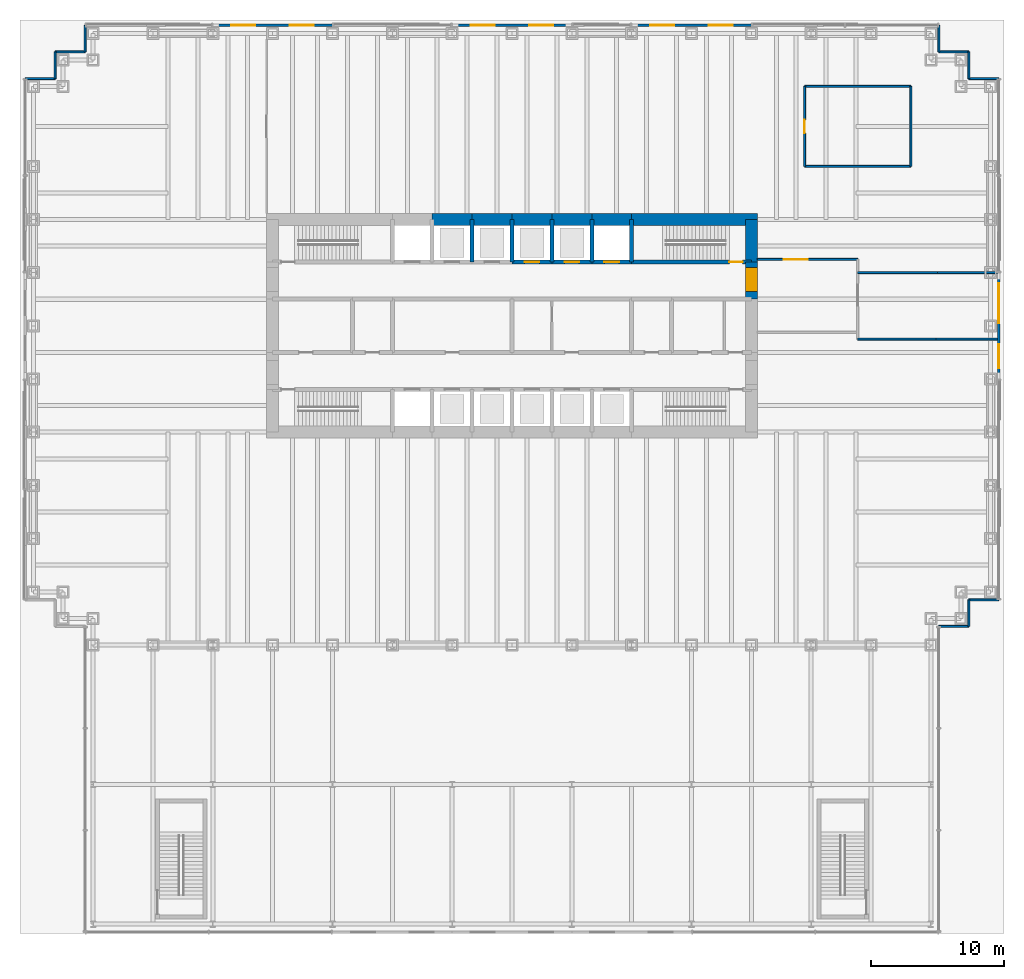
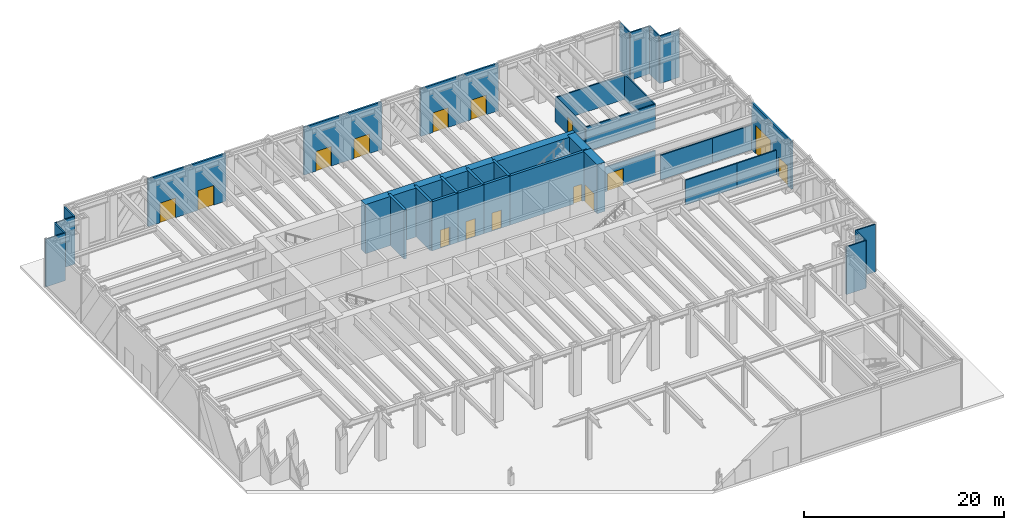
# One storey, part 14 of 17: 41 walls, 15 doors, 15 openings.
"""IFC4 building model written with IfcOpenShell, lengths in metres."""

from ifc_helpers import new_model, si_unit, direction, frame, frame_2d, origin, place, context, subcontext, project, spatial, rectangle, extrude, material, layer, layer_set, type_object, element, fill, save


model = new_model("IFC4")

# Units and contexts
model_context = context("Model", 3, precision=1e-05, world=origin(), true_north=direction((0.0, 1.0)))
body_context = subcontext(model_context, "Body", "Model", "MODEL_VIEW")
ifc_project = project(units=[si_unit("LENGTHUNIT", "METRE"), si_unit("AREAUNIT", "SQUARE_METRE"), si_unit("VOLUMEUNIT", "CUBIC_METRE"), si_unit("PLANEANGLEUNIT", "RADIAN"), si_unit("MASSUNIT", "GRAM", prefix="KILO")], contexts=[model_context])

# Site, building, storey
site_placement = place(None, origin())
site = spatial("IfcSite", under=ifc_project, at=site_placement, CompositionType="ELEMENT")
building_placement = place(site_placement, origin())
building = spatial("IfcBuilding", under=site, at=building_placement, Name="Rheinbord Bourse Tower", CompositionType="ELEMENT")
storey_placement = place(building_placement, origin())
storey = spatial("IfcBuildingStorey", under=building, at=storey_placement, Name="L00", CompositionType="ELEMENT", Elevation=0.0)

# Wall, opening, door
ifc_material_1 = material(Name="Concrete C50/60", Category="concrete")
ifc_layer_1 = layer(ifc_material_1, 0.300048828125)
ifc_layer_set_1 = layer_set([ifc_layer_1], Name="CORE INNER WALL 300")
wall_type_1 = type_object("IfcWallType", Name="CORE INNER WALL 300", PredefinedType="SOLIDWALL", material=ifc_layer_set_1)
wall_1_placement = place(storey_placement, frame((36.0, 28.800048828125, 0.0), z_axis=(0.0, 0.0, 1.0), x_axis=(1.0, 0.0, 0.0)))
wall_1 = element("IfcWall", 1, at=wall_1_placement, inside=storey, type_object=wall_type_1, Name="Core wall B5 L00", PredefinedType="SOLIDWALL", context=body_context, shape_type="SweptSolid", body=[
    extrude(rectangle(XDim=3.0, YDim=0.300048828125, at=frame_2d((1.5, 0.0))), origin(), (0.0, 0.0, 1.0), 6.0),
])
opening_1_placement = place(wall_1_placement, frame((0.949951171875, 0.0, 0.0)))
opening_1 = element("IfcOpeningElement", 2, at=opening_1_placement, cuts=wall_1, Name="Opening SL3", PredefinedType="OPENING", context=body_context, shape_type="SweptSolid", body=[
    extrude(rectangle(XDim=1.10009765625, YDim=2.199951171875, at=frame_2d((0.550048828125, 1.10009765625))), frame((0.0, 0.159912109375, 0.0), z_axis=(0.0, -1.0, 0.0), x_axis=(1.0, 0.0, 0.0)), (0.0, 0.0, 1.0), 0.320068359375),
])
ifc_material_2 = material(Name="Steel landing door", Category="steel")
door_type_1 = type_object("IfcDoorType", Name="LIFT LANDING DOOR 1100", OperationType="DOUBLE_DOOR_SLIDING", PredefinedType="USERDEFINED", material=ifc_material_2)
door_1_placement = place(opening_1_placement, origin())
door_1 = element("IfcDoor", 3, at=door_1_placement, inside=storey, type_object=door_type_1, Name="Lift landing door SL3 L00", ObjectType="LIFT LANDING DOOR", OperationType="DOUBLE_DOOR_SLIDING", OverallHeight=2.199951171875, OverallWidth=1.10009765625, PredefinedType="USERDEFINED", context=body_context, shape_type="SweptSolid", body=[
    extrude(rectangle(XDim=1.10009765625, YDim=2.199951171875, at=frame_2d((0.550048828125, 1.10009765625))), frame((0.0, 0.02490234375, 0.0), z_axis=(0.0, -1.0, 0.0), x_axis=(1.0, 0.0, 0.0)), (0.0, 0.0, 1.0), 0.050048828125),
])
fill(opening_1, door_1)

wall_2_placement = place(storey_placement, frame((39.0, 28.800048828125, 0.0), z_axis=(0.0, 0.0, 1.0), x_axis=(1.0, 0.0, 0.0)))
wall_2 = element("IfcWall", 4, at=wall_2_placement, inside=storey, type_object=wall_type_1, Name="Core wall B6 L00", PredefinedType="SOLIDWALL", context=body_context, shape_type="SweptSolid", body=[
    extrude(rectangle(XDim=3.0, YDim=0.300048828125, at=frame_2d((1.5, 0.0))), origin(), (0.0, 0.0, 1.0), 6.0),
])
opening_2_placement = place(wall_2_placement, frame((0.949951171875, 0.0, 0.0)))
opening_2 = element("IfcOpeningElement", 5, at=opening_2_placement, cuts=wall_2, Name="Opening SL4", PredefinedType="OPENING", context=body_context, shape_type="SweptSolid", body=[
    extrude(rectangle(XDim=1.10009765625, YDim=2.199951171875, at=frame_2d((0.550048828125, 1.10009765625))), frame((0.0, 0.159912109375, 0.0), z_axis=(0.0, -1.0, 0.0), x_axis=(1.0, 0.0, 0.0)), (0.0, 0.0, 1.0), 0.320068359375),
])
door_2_placement = place(opening_2_placement, origin())
door_2 = element("IfcDoor", 6, at=door_2_placement, inside=storey, type_object=door_type_1, Name="Lift landing door SL4 L00", ObjectType="LIFT LANDING DOOR", OperationType="DOUBLE_DOOR_SLIDING", OverallHeight=2.199951171875, OverallWidth=1.10009765625, PredefinedType="USERDEFINED", context=body_context, shape_type="SweptSolid", body=[
    extrude(rectangle(XDim=1.10009765625, YDim=2.199951171875, at=frame_2d((0.550048828125, 1.10009765625))), frame((0.0, 0.02490234375, 0.0), z_axis=(0.0, -1.0, 0.0), x_axis=(1.0, 0.0, 0.0)), (0.0, 0.0, 1.0), 0.050048828125),
])
fill(opening_2, door_2)

wall_3_placement = place(storey_placement, frame((42.0, 28.800048828125, 0.0), z_axis=(0.0, 0.0, 1.0), x_axis=(1.0, 0.0, 0.0)))
wall_3 = element("IfcWall", 7, at=wall_3_placement, inside=storey, type_object=wall_type_1, Name="Core wall B7 L00", PredefinedType="SOLIDWALL", context=body_context, shape_type="SweptSolid", body=[
    extrude(rectangle(XDim=3.0, YDim=0.300048828125, at=frame_2d((1.5, 0.0))), origin(), (0.0, 0.0, 1.0), 6.0),
])
opening_3_placement = place(wall_3_placement, frame((0.949951171875, 0.0, 0.0)))
opening_3 = element("IfcOpeningElement", 8, at=opening_3_placement, cuts=wall_3, Name="Opening FL2", PredefinedType="OPENING", context=body_context, shape_type="SweptSolid", body=[
    extrude(rectangle(XDim=1.10009765625, YDim=2.199951171875, at=frame_2d((0.550048828125, 1.10009765625))), frame((0.0, 0.159912109375, 0.0), z_axis=(0.0, -1.0, 0.0), x_axis=(1.0, 0.0, 0.0)), (0.0, 0.0, 1.0), 0.320068359375),
])
door_3_placement = place(opening_3_placement, origin())
door_3 = element("IfcDoor", 9, at=door_3_placement, inside=storey, type_object=door_type_1, Name="Lift landing door FL2 L00", ObjectType="LIFT LANDING DOOR", OperationType="DOUBLE_DOOR_SLIDING", OverallHeight=2.199951171875, OverallWidth=1.10009765625, PredefinedType="USERDEFINED", context=body_context, shape_type="SweptSolid", body=[
    extrude(rectangle(XDim=1.10009765625, YDim=2.199951171875, at=frame_2d((0.550048828125, 1.10009765625))), frame((0.0, 0.02490234375, 0.0), z_axis=(0.0, -1.0, 0.0), x_axis=(1.0, 0.0, 0.0)), (0.0, 0.0, 1.0), 0.050048828125),
])
fill(opening_3, door_3)

wall_4_placement = place(storey_placement, frame((45.0, 28.800048828125, 0.0), z_axis=(0.0, 0.0, 1.0), x_axis=(1.0, 0.0, 0.0)))
wall_4 = element("IfcWall", 10, at=wall_4_placement, inside=storey, type_object=wall_type_1, Name="Core wall B8 L00", PredefinedType="SOLIDWALL", context=body_context, shape_type="SweptSolid", body=[
    extrude(rectangle(XDim=9.0, YDim=0.300048828125, at=frame_2d((4.5, 0.0))), origin(), (0.0, 0.0, 1.0), 6.0),
])
opening_4_placement = place(wall_4_placement, frame((7.35009765625, 0.0, 0.0)))
opening_4 = element("IfcOpeningElement", 11, at=opening_4_placement, cuts=wall_4, Name="Opening 0040", PredefinedType="OPENING", context=body_context, shape_type="SweptSolid", body=[
    extrude(rectangle(XDim=1.0, YDim=2.10009765625, at=frame_2d((0.5, 1.050048828125))), frame((0.0, 0.159912109375, 0.0), z_axis=(0.0, -1.0, 0.0), x_axis=(1.0, 0.0, 0.0)), (0.0, 0.0, 1.0), 0.320068359375),
])
ifc_material_3 = material(Name="Steel door", Category="steel")
door_type_2 = type_object("IfcDoorType", Name="DOOR 1000 EI30", OperationType="SINGLE_SWING_LEFT", PredefinedType="DOOR", material=ifc_material_3)
door_4_placement = place(opening_4_placement, origin())
door_4 = element("IfcDoor", 12, at=door_4_placement, inside=storey, type_object=door_type_2, Name="Stair door ST4 L00", OperationType="SINGLE_SWING_RIGHT", OverallHeight=2.10009765625, OverallWidth=1.0, PredefinedType="DOOR", context=body_context, shape_type="SweptSolid", body=[
    extrude(rectangle(XDim=1.0, YDim=2.10009765625, at=frame_2d((0.5, 1.050048828125))), frame((0.0, 0.02490234375, 0.0), z_axis=(0.0, -1.0, 0.0), x_axis=(1.0, 0.0, 0.0)), (0.0, 0.0, 1.0), 0.050048828125),
])
fill(opening_4, door_4)

# Walls
for number, where, z_axis, x_axis, name in (
    (13, (33.0, 28.800048828125, 0.0), (0.0, 0.0, 1.0), (0.0, 1.0, 0.0), "Core wall NX33 L00"),
    (14, (36.0, 28.800048828125, 0.0), (0.0, 0.0, 1.0), (0.0, 1.0, 0.0), "Core wall NX36 L00"),
    (15, (39.0, 28.800048828125, 0.0), (0.0, 0.0, 1.0), (0.0, 1.0, 0.0), "Core wall NX39 L00"),
    (16, (42.0, 28.800048828125, 0.0), (0.0, 0.0, 1.0), (0.0, 1.0, 0.0), "Core wall NX42 L00"),
    (17, (45.0, 28.800048828125, 0.0), (0.0, 0.0, 1.0), (0.0, 1.0, 0.0), "Core wall NX45 L00"),
):
    element("IfcWall", number, at=place(storey_placement, frame(where, z_axis=z_axis, x_axis=x_axis)), inside=storey, type_object=wall_type_1, Name=name, PredefinedType="SOLIDWALL", context=body_context, shape_type="SweptSolid", body=[
        extrude(rectangle(XDim=3.199951171875, YDim=0.300048828125, at=frame_2d((1.60009765625, 0.0))), origin(), (0.0, 0.0, 1.0), 6.0),
    ])
ifc_material_4 = material(Name="Concrete C50/60", Category="concrete")
ifc_layer_2 = layer(ifc_material_4, 0.89990234375)
ifc_layer_set_2 = layer_set([ifc_layer_2], Name="CORE WALL 900")
wall_type_2 = type_object("IfcWallType", Name="CORE WALL 900", PredefinedType="SHEAR", material=ifc_layer_set_2)
wall_5_placement = place(storey_placement, frame((54.449951171875, 32.0, 0.0), z_axis=(0.0, 0.0, 1.0), x_axis=(-1.0, 0.0, 0.0)))
element("IfcWall", 18, at=wall_5_placement, inside=storey, type_object=wall_type_2, Name="Core wall N1 L00", PredefinedType="SHEAR", context=body_context, shape_type="SweptSolid", body=[
    extrude(rectangle(XDim=9.449951171875, YDim=0.89990234375, at=frame_2d((4.72509765625, 0.0))), origin(), (0.0, 0.0, 1.0), 6.0),
])
for number, where, z_axis, x_axis, name in (
    (19, (45.0, 32.0, 0.0), (0.0, 0.0, 1.0), (-1.0, 0.0, 0.0), "Core wall N2 L00"),
    (20, (42.0, 32.0, 0.0), (0.0, 0.0, 1.0), (-1.0, 0.0, 0.0), "Core wall N3 L00"),
    (21, (39.0, 32.0, 0.0), (0.0, 0.0, 1.0), (-1.0, 0.0, 0.0), "Core wall N4 L00"),
    (22, (36.0, 32.0, 0.0), (0.0, 0.0, 1.0), (-1.0, 0.0, 0.0), "Core wall N5 L00"),
    (23, (33.0, 32.0, 0.0), (0.0, 0.0, 1.0), (-1.0, 0.0, 0.0), "Core wall N6 L00"),
):
    element("IfcWall", number, at=place(storey_placement, frame(where, z_axis=z_axis, x_axis=x_axis)), inside=storey, type_object=wall_type_2, Name=name, PredefinedType="SHEAR", context=body_context, shape_type="SweptSolid", body=[
        extrude(rectangle(XDim=3.0, YDim=0.89990234375, at=frame_2d((1.5, 0.0))), origin(), (0.0, 0.0, 1.0), 6.0),
    ])

# Wall, opening, door
wall_6_placement = place(storey_placement, frame((54.0, 26.0, 0.0), z_axis=(0.0, 0.0, 1.0), x_axis=(0.0, 1.0, 0.0)))
wall_6 = element("IfcWall", 24, at=wall_6_placement, inside=storey, type_object=wall_type_2, Name="Core wall E4 L00", PredefinedType="SHEAR", context=body_context, shape_type="SweptSolid", body=[
    extrude(rectangle(XDim=2.800048828125, YDim=0.89990234375, at=frame_2d((1.39990234375, 0.0))), origin(), (0.0, 0.0, 1.0), 6.0),
])
opening_5_placement = place(wall_6_placement, frame((0.60009765625, 0.0, 0.0)))
opening_5 = element("IfcOpeningElement", 25, at=opening_5_placement, cuts=wall_6, Name="Opening 00L4", PredefinedType="OPENING", context=body_context, shape_type="SweptSolid", body=[
    extrude(rectangle(XDim=1.800048828125, YDim=2.10009765625, at=frame_2d((0.89990234375, 1.050048828125))), frame((0.0, 0.4599609375, 0.0), z_axis=(0.0, -1.0, 0.0), x_axis=(1.0, 0.0, 0.0)), (0.0, 0.0, 1.0), 0.919921875),
])
ifc_material_5 = material(Name="Steel door", Category="steel")
door_type_3 = type_object("IfcDoorType", Name="DOOR 1800 EI30 DOUBLE", OperationType="DOUBLE_DOOR_DOUBLE_SWING", PredefinedType="DOOR", material=ifc_material_5)
door_5_placement = place(opening_5_placement, origin())
door_5 = element("IfcDoor", 26, at=door_5_placement, inside=storey, type_object=door_type_3, Name="Lobby door 4 L00", OperationType="SINGLE_SWING_LEFT", OverallHeight=2.10009765625, OverallWidth=1.800048828125, PredefinedType="DOOR", context=body_context, shape_type="SweptSolid", body=[
    extrude(rectangle(XDim=1.800048828125, YDim=2.10009765625, at=frame_2d((0.89990234375, 1.050048828125))), frame((0.0, 0.44970703125, 0.0), z_axis=(0.0, -1.0, 0.0), x_axis=(1.0, 0.0, 0.0)), (0.0, 0.0, 1.0), 0.8994140625),
])
fill(opening_5, door_5)

# Walls
wall_7_placement = place(storey_placement, frame((54.0, 28.800048828125, 0.0), z_axis=(0.0, 0.0, 1.0), x_axis=(0.0, 1.0, 0.0)))
element("IfcWall", 27, at=wall_7_placement, inside=storey, type_object=wall_type_2, Name="Core wall E5 L00", PredefinedType="SHEAR", context=body_context, shape_type="SweptSolid", body=[
    extrude(rectangle(XDim=3.199951171875, YDim=0.89990234375, at=frame_2d((1.60009765625, 0.0))), origin(), (0.0, 0.0, 1.0), 6.0),
])
ifc_material_6 = material(Name="Black metal rainscreen panel", Category="aluminium")
ifc_layer_3 = layer(ifc_material_6, 0.14990234375)
ifc_layer_set_3 = layer_set([ifc_layer_3], Name="CORNER PIER CLADDING 150")
wall_type_3 = type_object("IfcWallType", Name="CORNER PIER CLADDING 150", PredefinedType="ELEMENTEDWALL", material=ifc_layer_set_3)
wall_8_placement = place(storey_placement, frame((68.10009765625, 1.39990234375, 0.0), z_axis=(0.0, 0.0, 1.0), x_axis=(1.0, 0.0, 0.0)))
element("IfcWall", 28, at=wall_8_placement, inside=storey, type_object=wall_type_3, Name="Corner pier cladding L00 7", PredefinedType="ELEMENTEDWALL", context=body_context, shape_type="SweptSolid", body=[
    extrude(rectangle(XDim=2.25, YDim=0.14990234375, at=frame_2d((1.125, 0.0))), origin(), (0.0, 0.0, 1.0), 5.820068359375),
])
wall_9_placement = place(storey_placement, frame((70.35009765625, 1.39990234375, 0.0), z_axis=(0.0, 0.0, 1.0), x_axis=(0.0, 1.0, 0.0)))
element("IfcWall", 29, at=wall_9_placement, inside=storey, type_object=wall_type_3, Name="Corner pier cladding L00 8", PredefinedType="ELEMENTEDWALL", context=body_context, shape_type="SweptSolid", body=[
    extrude(rectangle(XDim=2.0, YDim=0.14990234375, at=frame_2d((1.0, 0.0))), origin(), (0.0, 0.0, 1.0), 5.820068359375),
])
for number, where, z_axis, x_axis, name in (
    (30, (70.35009765625, 3.39990234375, 0.0), (0.0, 0.0, 1.0), (1.0, 0.0, 0.0), "Corner pier cladding L00 9"),
    (31, (72.60009765625, 42.60009765625, 0.0), (0.0, 0.0, 1.0), (-1.0, 0.0, 0.0), "Corner pier cladding L00 13"),
):
    element("IfcWall", number, at=place(storey_placement, frame(where, z_axis=z_axis, x_axis=x_axis)), inside=storey, type_object=wall_type_3, Name=name, PredefinedType="ELEMENTEDWALL", context=body_context, shape_type="SweptSolid", body=[
        extrude(rectangle(XDim=2.25, YDim=0.14990234375, at=frame_2d((1.125, 0.0))), origin(), (0.0, 0.0, 1.0), 5.820068359375),
    ])
wall_10_placement = place(storey_placement, frame((70.35009765625, 42.60009765625, 0.0), z_axis=(0.0, 0.0, 1.0), x_axis=(0.0, 1.0, 0.0)))
element("IfcWall", 32, at=wall_10_placement, inside=storey, type_object=wall_type_3, Name="Corner pier cladding L00 14", PredefinedType="ELEMENTEDWALL", context=body_context, shape_type="SweptSolid", body=[
    extrude(rectangle(XDim=2.0, YDim=0.14990234375, at=frame_2d((1.0, 0.0))), origin(), (0.0, 0.0, 1.0), 5.820068359375),
])
wall_11_placement = place(storey_placement, frame((70.35009765625, 44.60009765625, 0.0), z_axis=(0.0, 0.0, 1.0), x_axis=(-1.0, 0.0, 0.0)))
element("IfcWall", 33, at=wall_11_placement, inside=storey, type_object=wall_type_3, Name="Corner pier cladding L00 15", PredefinedType="ELEMENTEDWALL", context=body_context, shape_type="SweptSolid", body=[
    extrude(rectangle(XDim=2.25, YDim=0.14990234375, at=frame_2d((1.125, 0.0))), origin(), (0.0, 0.0, 1.0), 5.820068359375),
])
for number, where, z_axis, x_axis, name in (
    (34, (68.10009765625, 44.60009765625, 0.0), (0.0, 0.0, 1.0), (0.0, 1.0, 0.0), "Corner pier cladding L00 16"),
    (35, (3.89990234375, 46.60009765625, 0.0), (0.0, 0.0, 1.0), (0.0, -1.0, 0.0), "Corner pier cladding L00 24"),
):
    element("IfcWall", number, at=place(storey_placement, frame(where, z_axis=z_axis, x_axis=x_axis)), inside=storey, type_object=wall_type_3, Name=name, PredefinedType="ELEMENTEDWALL", context=body_context, shape_type="SweptSolid", body=[
        extrude(rectangle(XDim=2.0, YDim=0.14990234375, at=frame_2d((1.0, 0.0))), origin(), (0.0, 0.0, 1.0), 5.820068359375),
    ])
wall_12_placement = place(storey_placement, frame((3.89990234375, 44.60009765625, 0.0), z_axis=(0.0, 0.0, 1.0), x_axis=(-1.0, 0.0, 0.0)))
element("IfcWall", 36, at=wall_12_placement, inside=storey, type_object=wall_type_3, Name="Corner pier cladding L00 25", PredefinedType="ELEMENTEDWALL", context=body_context, shape_type="SweptSolid", body=[
    extrude(rectangle(XDim=2.25, YDim=0.14990234375, at=frame_2d((1.125, 0.0))), origin(), (0.0, 0.0, 1.0), 5.820068359375),
])
wall_13_placement = place(storey_placement, frame((1.64990234375, 44.60009765625, 0.0), z_axis=(0.0, 0.0, 1.0), x_axis=(0.0, -1.0, 0.0)))
element("IfcWall", 37, at=wall_13_placement, inside=storey, type_object=wall_type_3, Name="Corner pier cladding L00 26", PredefinedType="ELEMENTEDWALL", context=body_context, shape_type="SweptSolid", body=[
    extrude(rectangle(XDim=2.0, YDim=0.14990234375, at=frame_2d((1.0, 0.0))), origin(), (0.0, 0.0, 1.0), 5.820068359375),
])
wall_14_placement = place(storey_placement, frame((1.64990234375, 42.60009765625, 0.0), z_axis=(0.0, 0.0, 1.0), x_axis=(-1.0, 0.0, 0.0)))
element("IfcWall", 38, at=wall_14_placement, inside=storey, type_object=wall_type_3, Name="Corner pier cladding L00 27", PredefinedType="ELEMENTEDWALL", context=body_context, shape_type="SweptSolid", body=[
    extrude(rectangle(XDim=2.25, YDim=0.14990234375, at=frame_2d((1.125, 0.0))), origin(), (0.0, 0.0, 1.0), 5.820068359375),
])

# Wall, openings, doors
ifc_material_7 = material(Name="Dark glass and black steel screen", Category="steel")
ifc_layer_4 = layer(ifc_material_7, 0.199951171875)
ifc_layer_set_4 = layer_set([ifc_layer_4], Name="ENTRANCE SCREEN 200")
wall_type_4 = type_object("IfcWallType", Name="ENTRANCE SCREEN 200", PredefinedType="USERDEFINED", material=ifc_layer_set_4)
wall_15_placement = place(storey_placement, frame((72.60009765625, 20.0, 0.0), z_axis=(0.0, 0.0, 1.0), x_axis=(0.0, 1.0, 0.0)))
wall_15 = element("IfcWall", 39, at=wall_15_placement, inside=storey, type_object=wall_type_4, Name="Entrance screen E L00", ObjectType="GLAZED ENTRANCE SCREEN", PredefinedType="USERDEFINED", context=body_context, shape_type="SweptSolid", body=[
    extrude(rectangle(XDim=8.0, YDim=0.199951171875, at=frame_2d((4.0, 0.0))), origin(), (0.0, 0.0, 1.0), 5.820068359375),
])
opening_6_placement = place(wall_15_placement, frame((0.800048828125, 0.0, 0.0)))
opening_6 = element("IfcOpeningElement", 40, at=opening_6_placement, cuts=wall_15, Name="Opening 00EE110", PredefinedType="OPENING", context=body_context, shape_type="SweptSolid", body=[
    extrude(rectangle(XDim=1.800048828125, YDim=2.39990234375, at=frame_2d((0.89990234375, 1.199951171875))), frame((0.0, 0.10986328125, 0.0), z_axis=(0.0, -1.0, 0.0), x_axis=(1.0, 0.0, 0.0)), (0.0, 0.0, 1.0), 0.219970703125),
])
opening_7_placement = place(wall_15_placement, frame((4.199951171875, 0.0, 0.0)))
opening_7 = element("IfcOpeningElement", 41, at=opening_7_placement, cuts=wall_15, Name="Opening 00EE210", PredefinedType="OPENING", context=body_context, shape_type="SweptSolid", body=[
    extrude(rectangle(XDim=3.0, YDim=3.5, at=frame_2d((1.5, 1.75))), frame((0.0, 0.10986328125, 0.0), z_axis=(0.0, -1.0, 0.0), x_axis=(1.0, 0.0, 0.0)), (0.0, 0.0, 1.0), 0.219970703125),
])
ifc_material_8 = material(Name="Dark glass and black steel door", Category="steel")
door_type_4 = type_object("IfcDoorType", Name="ENTRANCE DOOR 1800", OperationType="DOUBLE_DOOR_DOUBLE_SWING", PredefinedType="DOOR", material=ifc_material_8)
door_6_placement = place(opening_6_placement, origin())
door_6 = element("IfcDoor", 42, at=door_6_placement, inside=storey, type_object=door_type_4, Name="Entrance door E", OperationType="SINGLE_SWING_LEFT", OverallHeight=2.39990234375, OverallWidth=1.800048828125, PredefinedType="DOOR", context=body_context, shape_type="SweptSolid", body=[
    extrude(rectangle(XDim=1.800048828125, YDim=2.39990234375, at=frame_2d((0.89990234375, 1.199951171875))), frame((0.0, 0.02490234375, 0.0), z_axis=(0.0, -1.0, 0.0), x_axis=(1.0, 0.0, 0.0)), (0.0, 0.0, 1.0), 0.050048828125),
])
fill(opening_6, door_6)
ifc_material_9 = material(Name="Steel roller shutter", Category="steel")
door_type_5 = type_object("IfcDoorType", Name="LOADING DOOR 3000", OperationType="USERDEFINED", PredefinedType="USERDEFINED", material=ifc_material_9)
door_7_placement = place(opening_7_placement, origin())
door_7 = element("IfcDoor", 43, at=door_7_placement, inside=storey, type_object=door_type_5, Name="Entrance door E", ObjectType="ROLLER SHUTTER DOOR", OperationType="SINGLE_SWING_LEFT", OverallHeight=3.5, OverallWidth=3.0, PredefinedType="USERDEFINED", context=body_context, shape_type="SweptSolid", body=[
    extrude(rectangle(XDim=3.0, YDim=3.5, at=frame_2d((1.5, 1.75))), frame((0.0, 0.02490234375, 0.0), z_axis=(0.0, -1.0, 0.0), x_axis=(1.0, 0.0, 0.0)), (0.0, 0.0, 1.0), 0.050048828125),
])
fill(opening_7, door_7)

wall_16_placement = place(storey_placement, frame((54.0, 46.60009765625, 0.0), z_axis=(0.0, 0.0, 1.0), x_axis=(-1.0, 0.0, 0.0)))
wall_16 = element("IfcWall", 44, at=wall_16_placement, inside=storey, type_object=wall_type_4, Name="Entrance screen N L00", ObjectType="GLAZED ENTRANCE SCREEN", PredefinedType="USERDEFINED", context=body_context, shape_type="SweptSolid", body=[
    extrude(rectangle(XDim=9.0, YDim=0.199951171875, at=frame_2d((4.5, 0.0))), origin(), (0.0, 0.0, 1.0), 5.820068359375),
])
opening_8_placement = place(wall_16_placement, frame((1.39990234375, 0.0, 0.0)))
opening_8 = element("IfcOpeningElement", 45, at=opening_8_placement, cuts=wall_16, Name="Opening 00EN117", PredefinedType="OPENING", context=body_context, shape_type="SweptSolid", body=[
    extrude(rectangle(XDim=1.800048828125, YDim=2.39990234375, at=frame_2d((0.89990234375, 1.199951171875))), frame((0.0, 0.10986328125, 0.0), z_axis=(0.0, -1.0, 0.0), x_axis=(1.0, 0.0, 0.0)), (0.0, 0.0, 1.0), 0.219970703125),
])
opening_9_placement = place(wall_16_placement, frame((5.800048828125, 0.0, 0.0)))
opening_9 = element("IfcOpeningElement", 46, at=opening_9_placement, cuts=wall_16, Name="Opening 00EN217", PredefinedType="OPENING", context=body_context, shape_type="SweptSolid", body=[
    extrude(rectangle(XDim=1.800048828125, YDim=2.39990234375, at=frame_2d((0.89990234375, 1.199951171875))), frame((0.0, 0.10986328125, 0.0), z_axis=(0.0, -1.0, 0.0), x_axis=(1.0, 0.0, 0.0)), (0.0, 0.0, 1.0), 0.219970703125),
])
door_8_placement = place(opening_8_placement, origin())
door_8 = element("IfcDoor", 47, at=door_8_placement, inside=storey, type_object=door_type_4, Name="Entrance door N", OperationType="SINGLE_SWING_LEFT", OverallHeight=2.39990234375, OverallWidth=1.800048828125, PredefinedType="DOOR", context=body_context, shape_type="SweptSolid", body=[
    extrude(rectangle(XDim=1.800048828125, YDim=2.39990234375, at=frame_2d((0.89990234375, 1.199951171875))), frame((0.0, 0.02490234375, 0.0), z_axis=(0.0, -1.0, 0.0), x_axis=(1.0, 0.0, 0.0)), (0.0, 0.0, 1.0), 0.050048828125),
])
fill(opening_8, door_8)
door_9_placement = place(opening_9_placement, origin())
door_9 = element("IfcDoor", 48, at=door_9_placement, inside=storey, type_object=door_type_4, Name="Entrance door N", OperationType="SINGLE_SWING_LEFT", OverallHeight=2.39990234375, OverallWidth=1.800048828125, PredefinedType="DOOR", context=body_context, shape_type="SweptSolid", body=[
    extrude(rectangle(XDim=1.800048828125, YDim=2.39990234375, at=frame_2d((0.89990234375, 1.199951171875))), frame((0.0, 0.02490234375, 0.0), z_axis=(0.0, -1.0, 0.0), x_axis=(1.0, 0.0, 0.0)), (0.0, 0.0, 1.0), 0.050048828125),
])
fill(opening_9, door_9)

wall_17_placement = place(storey_placement, frame((40.5, 46.60009765625, 0.0), z_axis=(0.0, 0.0, 1.0), x_axis=(-1.0, 0.0, 0.0)))
wall_17 = element("IfcWall", 49, at=wall_17_placement, inside=storey, type_object=wall_type_4, Name="Entrance screen N L00", ObjectType="GLAZED ENTRANCE SCREEN", PredefinedType="USERDEFINED", context=body_context, shape_type="SweptSolid", body=[
    extrude(rectangle(XDim=9.0, YDim=0.199951171875, at=frame_2d((4.5, 0.0))), origin(), (0.0, 0.0, 1.0), 5.820068359375),
])
opening_10_placement = place(wall_17_placement, frame((1.39990234375, 0.0, 0.0)))
opening_10 = element("IfcOpeningElement", 50, at=opening_10_placement, cuts=wall_17, Name="Opening 00EN119", PredefinedType="OPENING", context=body_context, shape_type="SweptSolid", body=[
    extrude(rectangle(XDim=1.800048828125, YDim=2.39990234375, at=frame_2d((0.89990234375, 1.199951171875))), frame((0.0, 0.10986328125, 0.0), z_axis=(0.0, -1.0, 0.0), x_axis=(1.0, 0.0, 0.0)), (0.0, 0.0, 1.0), 0.219970703125),
])
opening_11_placement = place(wall_17_placement, frame((5.800048828125, 0.0, 0.0)))
opening_11 = element("IfcOpeningElement", 51, at=opening_11_placement, cuts=wall_17, Name="Opening 00EN219", PredefinedType="OPENING", context=body_context, shape_type="SweptSolid", body=[
    extrude(rectangle(XDim=1.800048828125, YDim=2.39990234375, at=frame_2d((0.89990234375, 1.199951171875))), frame((0.0, 0.10986328125, 0.0), z_axis=(0.0, -1.0, 0.0), x_axis=(1.0, 0.0, 0.0)), (0.0, 0.0, 1.0), 0.219970703125),
])
door_10_placement = place(opening_10_placement, origin())
door_10 = element("IfcDoor", 52, at=door_10_placement, inside=storey, type_object=door_type_4, Name="Entrance door N", OperationType="SINGLE_SWING_LEFT", OverallHeight=2.39990234375, OverallWidth=1.800048828125, PredefinedType="DOOR", context=body_context, shape_type="SweptSolid", body=[
    extrude(rectangle(XDim=1.800048828125, YDim=2.39990234375, at=frame_2d((0.89990234375, 1.199951171875))), frame((0.0, 0.02490234375, 0.0), z_axis=(0.0, -1.0, 0.0), x_axis=(1.0, 0.0, 0.0)), (0.0, 0.0, 1.0), 0.050048828125),
])
fill(opening_10, door_10)
door_11_placement = place(opening_11_placement, origin())
door_11 = element("IfcDoor", 53, at=door_11_placement, inside=storey, type_object=door_type_4, Name="Entrance door N", OperationType="SINGLE_SWING_LEFT", OverallHeight=2.39990234375, OverallWidth=1.800048828125, PredefinedType="DOOR", context=body_context, shape_type="SweptSolid", body=[
    extrude(rectangle(XDim=1.800048828125, YDim=2.39990234375, at=frame_2d((0.89990234375, 1.199951171875))), frame((0.0, 0.02490234375, 0.0), z_axis=(0.0, -1.0, 0.0), x_axis=(1.0, 0.0, 0.0)), (0.0, 0.0, 1.0), 0.050048828125),
])
fill(opening_11, door_11)

wall_18_placement = place(storey_placement, frame((22.5, 46.60009765625, 0.0), z_axis=(0.0, 0.0, 1.0), x_axis=(-1.0, 0.0, 0.0)))
wall_18 = element("IfcWall", 54, at=wall_18_placement, inside=storey, type_object=wall_type_4, Name="Entrance screen N L00", ObjectType="GLAZED ENTRANCE SCREEN", PredefinedType="USERDEFINED", context=body_context, shape_type="SweptSolid", body=[
    extrude(rectangle(XDim=9.0, YDim=0.199951171875, at=frame_2d((4.5, 0.0))), origin(), (0.0, 0.0, 1.0), 5.820068359375),
])
opening_12_placement = place(wall_18_placement, frame((1.39990234375, 0.0, 0.0)))
opening_12 = element("IfcOpeningElement", 55, at=opening_12_placement, cuts=wall_18, Name="Opening 00EN121", PredefinedType="OPENING", context=body_context, shape_type="SweptSolid", body=[
    extrude(rectangle(XDim=1.800048828125, YDim=2.39990234375, at=frame_2d((0.89990234375, 1.199951171875))), frame((0.0, 0.10986328125, 0.0), z_axis=(0.0, -1.0, 0.0), x_axis=(1.0, 0.0, 0.0)), (0.0, 0.0, 1.0), 0.219970703125),
])
opening_13_placement = place(wall_18_placement, frame((5.800048828125, 0.0, 0.0)))
opening_13 = element("IfcOpeningElement", 56, at=opening_13_placement, cuts=wall_18, Name="Opening 00EN221", PredefinedType="OPENING", context=body_context, shape_type="SweptSolid", body=[
    extrude(rectangle(XDim=1.800048828125, YDim=2.39990234375, at=frame_2d((0.89990234375, 1.199951171875))), frame((0.0, 0.10986328125, 0.0), z_axis=(0.0, -1.0, 0.0), x_axis=(1.0, 0.0, 0.0)), (0.0, 0.0, 1.0), 0.219970703125),
])
door_12_placement = place(opening_12_placement, origin())
door_12 = element("IfcDoor", 57, at=door_12_placement, inside=storey, type_object=door_type_4, Name="Entrance door N", OperationType="SINGLE_SWING_LEFT", OverallHeight=2.39990234375, OverallWidth=1.800048828125, PredefinedType="DOOR", context=body_context, shape_type="SweptSolid", body=[
    extrude(rectangle(XDim=1.800048828125, YDim=2.39990234375, at=frame_2d((0.89990234375, 1.199951171875))), frame((0.0, 0.02490234375, 0.0), z_axis=(0.0, -1.0, 0.0), x_axis=(1.0, 0.0, 0.0)), (0.0, 0.0, 1.0), 0.050048828125),
])
fill(opening_12, door_12)
door_13_placement = place(opening_13_placement, origin())
door_13 = element("IfcDoor", 58, at=door_13_placement, inside=storey, type_object=door_type_4, Name="Entrance door N", OperationType="SINGLE_SWING_LEFT", OverallHeight=2.39990234375, OverallWidth=1.800048828125, PredefinedType="DOOR", context=body_context, shape_type="SweptSolid", body=[
    extrude(rectangle(XDim=1.800048828125, YDim=2.39990234375, at=frame_2d((0.89990234375, 1.199951171875))), frame((0.0, 0.02490234375, 0.0), z_axis=(0.0, -1.0, 0.0), x_axis=(1.0, 0.0, 0.0)), (0.0, 0.0, 1.0), 0.050048828125),
])
fill(opening_13, door_13)

# Walls
ifc_material_10 = material(Name="Gypsum board fire partition", Category="gypsum board")
ifc_layer_5 = layer(ifc_material_10, 0.14990234375)
ifc_layer_set_5 = layer_set([ifc_layer_5], Name="FIRE PARTITION 150 EI60")
wall_type_5 = type_object("IfcWallType", Name="FIRE PARTITION 150 EI60", PredefinedType="PARTITIONING", material=ifc_layer_set_5)
for number, where, z_axis, x_axis, name in (
    (59, (58.0, 36.0, 0.0), (0.0, 0.0, 1.0), (1.0, 0.0, 0.0), "Partition Fire command centre S L00"),
    (60, (66.0, 42.0, 0.0), (0.0, 0.0, 1.0), (-1.0, 0.0, 0.0), "Partition Fire command centre N L00"),
):
    element("IfcWall", number, at=place(storey_placement, frame(where, z_axis=z_axis, x_axis=x_axis)), inside=storey, type_object=wall_type_5, Name=name, PredefinedType="PARTITIONING", context=body_context, shape_type="SweptSolid", body=[
        extrude(rectangle(XDim=8.0, YDim=0.14990234375, at=frame_2d((4.0, 0.0))), origin(), (0.0, 0.0, 1.0), 3.0),
    ])

# Wall, opening, door
wall_19_placement = place(storey_placement, frame((58.0, 42.0, 0.0), z_axis=(0.0, 0.0, 1.0), x_axis=(0.0, -1.0, 0.0)))
wall_19 = element("IfcWall", 61, at=wall_19_placement, inside=storey, type_object=wall_type_5, Name="Partition Fire command centre W L00", PredefinedType="PARTITIONING", context=body_context, shape_type="SweptSolid", body=[
    extrude(rectangle(XDim=6.0, YDim=0.14990234375, at=frame_2d((3.0, 0.0))), origin(), (0.0, 0.0, 1.0), 3.0),
])
opening_14_placement = place(wall_19_placement, frame((2.5, 0.0, 0.0)))
opening_14 = element("IfcOpeningElement", 62, at=opening_14_placement, cuts=wall_19, Name="Opening 00MF", PredefinedType="OPENING", context=body_context, shape_type="SweptSolid", body=[
    extrude(rectangle(XDim=1.0, YDim=2.10009765625, at=frame_2d((0.5, 1.050048828125))), frame((0.0, 0.0849609375, 0.0), z_axis=(0.0, -1.0, 0.0), x_axis=(1.0, 0.0, 0.0)), (0.0, 0.0, 1.0), 0.169921875),
])
ifc_material_11 = material(Name="Timber door", Category="wood")
door_type_6 = type_object("IfcDoorType", Name="ROOM DOOR 1000", OperationType="SINGLE_SWING_LEFT", PredefinedType="DOOR", material=ifc_material_11)
door_14_placement = place(opening_14_placement, origin())
door_14 = element("IfcDoor", 63, at=door_14_placement, inside=storey, type_object=door_type_6, Name="Fire command centre door L00", OperationType="SINGLE_SWING_LEFT", OverallHeight=2.10009765625, OverallWidth=1.0, PredefinedType="DOOR", context=body_context, shape_type="SweptSolid", body=[
    extrude(rectangle(XDim=1.0, YDim=2.10009765625, at=frame_2d((0.5, 1.050048828125))), frame((0.0, 0.02490234375, 0.0), z_axis=(0.0, -1.0, 0.0), x_axis=(1.0, 0.0, 0.0)), (0.0, 0.0, 1.0), 0.050048828125),
])
fill(opening_14, door_14)

# Walls
for number, where, z_axis, x_axis, name in (
    (64, (66.0, 36.0, 0.0), (0.0, 0.0, 1.0), (0.0, 1.0, 0.0), "Partition Fire command centre E L00"),
    (65, (62.0, 28.0, 0.0), (0.0, 0.0, 1.0), (1.0, 0.0, 0.0), "Partition goods receipt N L00"),
):
    element("IfcWall", number, at=place(storey_placement, frame(where, z_axis=z_axis, x_axis=x_axis)), inside=storey, type_object=wall_type_5, Name=name, PredefinedType="PARTITIONING", context=body_context, shape_type="SweptSolid", body=[
        extrude(rectangle(XDim=6.0, YDim=0.14990234375, at=frame_2d((3.0, 0.0))), origin(), (0.0, 0.0, 1.0), 3.0),
    ])

# Wall, opening, door
wall_20_placement = place(storey_placement, frame((54.449951171875, 29.0, 0.0), z_axis=(0.0, 0.0, 1.0), x_axis=(1.0, 0.0, 0.0)))
wall_20 = element("IfcWall", 66, at=wall_20_placement, inside=storey, type_object=wall_type_5, Name="Partition goods corridor N L00", PredefinedType="PARTITIONING", context=body_context, shape_type="SweptSolid", body=[
    extrude(rectangle(XDim=7.550048828125, YDim=0.14990234375, at=frame_2d((3.77490234375, 0.0))), origin(), (0.0, 0.0, 1.0), 3.0),
])
opening_15_placement = place(wall_20_placement, frame((2.0, 0.0, 0.0)))
opening_15 = element("IfcOpeningElement", 67, at=opening_15_placement, cuts=wall_20, Name="Opening 00G3", PredefinedType="OPENING", context=body_context, shape_type="SweptSolid", body=[
    extrude(rectangle(XDim=1.800048828125, YDim=2.10009765625, at=frame_2d((0.89990234375, 1.050048828125))), frame((0.0, 0.0849609375, 0.0), z_axis=(0.0, -1.0, 0.0), x_axis=(1.0, 0.0, 0.0)), (0.0, 0.0, 1.0), 0.169921875),
])
door_15_placement = place(opening_15_placement, origin())
door_15 = element("IfcDoor", 68, at=door_15_placement, inside=storey, type_object=door_type_3, Name="Fire brigade lobby door L00", OperationType="SINGLE_SWING_LEFT", OverallHeight=2.10009765625, OverallWidth=1.800048828125, PredefinedType="DOOR", context=body_context, shape_type="SweptSolid", body=[
    extrude(rectangle(XDim=1.800048828125, YDim=2.10009765625, at=frame_2d((0.89990234375, 1.050048828125))), frame((0.0, 0.02490234375, 0.0), z_axis=(0.0, -1.0, 0.0), x_axis=(1.0, 0.0, 0.0)), (0.0, 0.0, 1.0), 0.050048828125),
])
fill(opening_15, door_15)

# Walls
ifc_material_12 = material(Name="Gypsum board partition", Category="gypsum board")
ifc_layer_6 = layer(ifc_material_12, 0.14990234375)
ifc_layer_set_6 = layer_set([ifc_layer_6], Name="PARTITION 150")
wall_type_6 = type_object("IfcWallType", Name="PARTITION 150", PredefinedType="PARTITIONING", material=ifc_layer_set_6)
wall_21_placement = place(storey_placement, frame((67.89990234375, 23.0, 0.0), z_axis=(0.0, 0.0, 1.0), x_axis=(1.0, 0.0, 0.0)))
element("IfcWall", 69, at=wall_21_placement, inside=storey, type_object=wall_type_6, Name="Partition loading bay S L00", PredefinedType="PARTITIONING", context=body_context, shape_type="SweptSolid", body=[
    extrude(rectangle(XDim=4.60009765625, YDim=0.14990234375, at=frame_2d((2.300048828125, 0.0))), origin(), (0.0, 0.0, 1.0), 3.0),
])
wall_22_placement = place(storey_placement, frame((68.0, 28.0, 0.0), z_axis=(0.0, 0.0, 1.0), x_axis=(1.0, 0.0, 0.0)))
element("IfcWall", 70, at=wall_22_placement, inside=storey, type_object=wall_type_6, Name="Partition loading bay N L00", PredefinedType="PARTITIONING", context=body_context, shape_type="SweptSolid", body=[
    extrude(rectangle(XDim=4.5, YDim=0.14990234375, at=frame_2d((2.25, 0.0))), origin(), (0.0, 0.0, 1.0), 3.0),
])
wall_23_placement = place(storey_placement, frame((62.0, 23.0, 0.0), z_axis=(0.0, 0.0, 1.0), x_axis=(1.0, 0.0, 0.0)))
element("IfcWall", 71, at=wall_23_placement, inside=storey, type_object=wall_type_6, Name="Partition goods receipt S L00", PredefinedType="PARTITIONING", context=body_context, shape_type="SweptSolid", body=[
    extrude(rectangle(XDim=5.89990234375, YDim=0.14990234375, at=frame_2d((2.949951171875, 0.0))), origin(), (0.0, 0.0, 1.0), 3.0),
])

save(model, "model.ifc")
